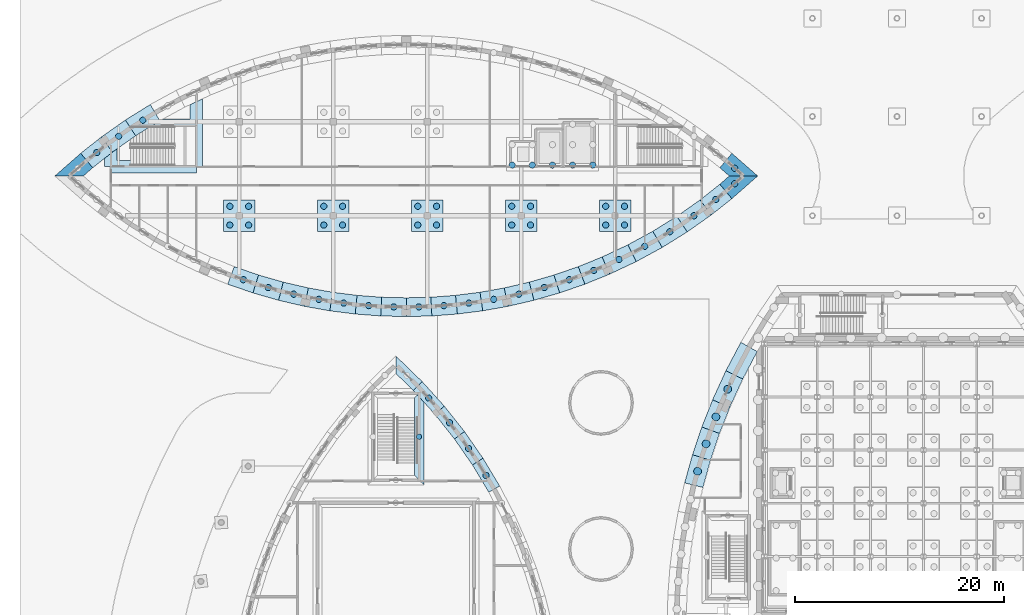
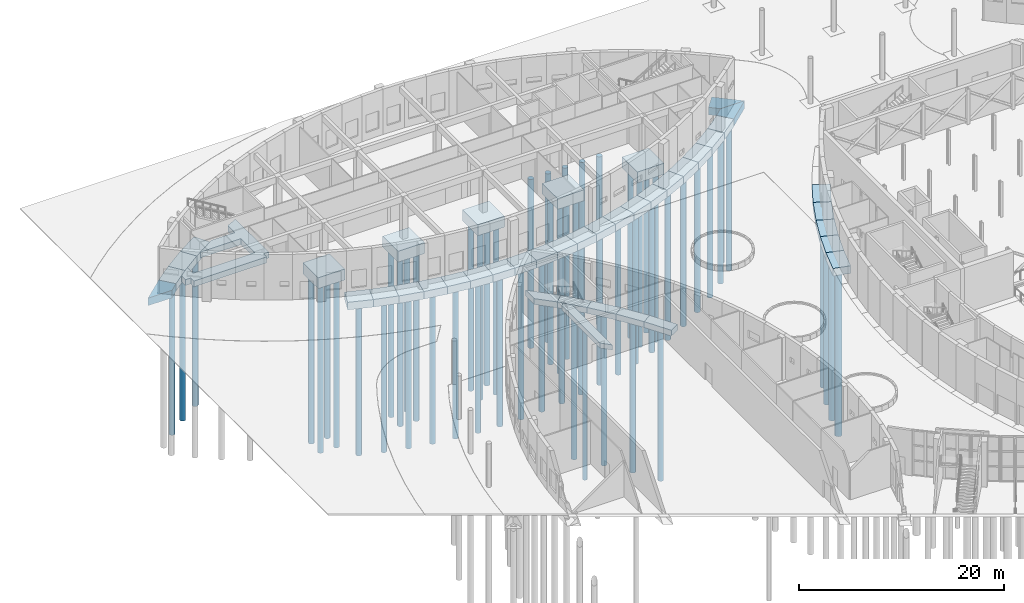
# One storey, part 6 of 82: 59 piles, 43 footings.
"""IFC4 building model written with IfcOpenShell, lengths in metres."""

from ifc_helpers import new_model, si_unit, direction, frame, origin, origin_2d, place, context, subcontext, project, spatial, polyline, circle, outline, extrude, material, material_profile, profile_set, type_object, element, save


model = new_model("IFC4")

# Units and contexts
model_context = context("Model", 3, precision=1e-05, world=origin(), true_north=direction((0.0, 1.0)))
body_context = subcontext(model_context, "Body", "Model", "MODEL_VIEW")
ifc_project = project(units=[si_unit("LENGTHUNIT", "METRE"), si_unit("AREAUNIT", "SQUARE_METRE"), si_unit("VOLUMEUNIT", "CUBIC_METRE"), si_unit("PLANEANGLEUNIT", "RADIAN"), si_unit("MASSUNIT", "GRAM", prefix="KILO")], contexts=[model_context])

# Site, building, storey
site_placement = place(None, origin())
site = spatial("IfcSite", under=ifc_project, at=site_placement, CompositionType="ELEMENT")
building_placement = place(site_placement, origin())
building = spatial("IfcBuilding", under=site, at=building_placement, Name="Tide Square Theatres", CompositionType="ELEMENT")
storey_placement = place(building_placement, origin())
storey = spatial("IfcBuildingStorey", under=building, at=storey_placement, Name="L00", CompositionType="ELEMENT", Elevation=0.0)

# Piles
ifc_material_1 = material(Name="Concrete C30", Category="concrete")
ifc_material_profile_1 = material_profile(ifc_material_1, circle(Radius=0.25, at=origin_2d()))
ifc_profile_set_1 = profile_set([ifc_material_profile_1], Name="Concrete C30")
pile_type_1 = type_object("IfcPileType", Name="Bored pile D500", PredefinedType="BORED", material=ifc_profile_set_1)
pile_placement = place(storey_placement, frame((38.22509765625, 72.824951171875, -0.699951171875), z_axis=(0.0, 0.0, -1.0), x_axis=(1.0, 0.0, 0.0)))
element("IfcPile", 1, at=pile_placement, inside=storey, type_object=pile_type_1, Name="Bored pile 061", PredefinedType="BORED", context=body_context, shape_type="SweptSolid", body=[
    extrude(circle(Radius=0.25, at=origin_2d()), origin(), (0.0, 0.0, 1.0), 18.14990234375),
])
ifc_material_2 = material(Name="Concrete C30", Category="concrete")
ifc_material_profile_2 = material_profile(ifc_material_2, circle(Radius=0.300048828125, at=origin_2d()))
ifc_profile_set_2 = profile_set([ifc_material_profile_2], Name="Concrete C30")
pile_type_2 = type_object("IfcPileType", Name="Bored pile D600", PredefinedType="BORED", material=ifc_profile_set_2)
for number, where, z_axis, x_axis, name in (
    (2, (44.633544921875, 69.123779296875, -0.800048828125), (0.0, 0.0, -1.0), (1.0, 0.0, 0.0), "Bored pile 024"),
    (3, (42.968017578125, 71.70166015625, -0.800048828125), (0.0, 0.0, -1.0), (1.0, 0.0, 0.0), "Bored pile 025"),
    (4, (41.140380859375, 74.167236328125, -0.800048828125), (0.0, 0.0, -1.0), (1.0, 0.0, 0.0), "Bored pile 026"),
    (5, (39.143310546875, 76.5263671875, -0.800048828125), (0.0, 0.0, -1.0), (1.0, 0.0, 0.0), "Bored pile 027"),
    (6, (21.393798828125, 87.8681640625, -1.0), (0.0, 0.0, -1.0), (1.0, 0.0, 0.0), "Scenery Workshops wall pile 8"),
    (7, (23.787109375, 87.11083984375, -1.0), (0.0, 0.0, -1.0), (1.0, 0.0, 0.0), "Scenery Workshops wall pile 9"),
    (8, (26.216796875, 86.48046875, -1.0), (0.0, 0.0, -1.0), (1.0, 0.0, 0.0), "Scenery Workshops wall pile 10"),
    (9, (28.62451171875, 85.986083984375, -1.0), (0.0, 0.0, -1.0), (1.0, 0.0, 0.0), "Scenery Workshops wall pile 11"),
    (10, (31.002197265625, 85.624267578125, -1.0), (0.0, 0.0, -1.0), (1.0, 0.0, 0.0), "Scenery Workshops wall pile 12"),
    (11, (33.395263671875, 85.382568359375, -1.0), (0.0, 0.0, -1.0), (1.0, 0.0, 0.0), "Scenery Workshops wall pile 13"),
    (12, (35.79736328125, 85.261474609375, -1.0), (0.0, 0.0, -1.0), (1.0, 0.0, 0.0), "Scenery Workshops wall pile 14"),
    (13, (38.20263671875, 85.261474609375, -1.0), (0.0, 0.0, -1.0), (1.0, 0.0, 0.0), "Scenery Workshops wall pile 15"),
    (14, (40.604736328125, 85.382568359375, -1.0), (0.0, 0.0, -1.0), (1.0, 0.0, 0.0), "Scenery Workshops wall pile 16"),
    (15, (42.997802734375, 85.624267578125, -1.0), (0.0, 0.0, -1.0), (1.0, 0.0, 0.0), "Scenery Workshops wall pile 17"),
    (16, (45.37548828125, 85.986083984375, -1.0), (0.0, 0.0, -1.0), (1.0, 0.0, 0.0), "Scenery Workshops wall pile 18"),
    (17, (47.783203125, 86.48046875, -1.0), (0.0, 0.0, -1.0), (1.0, 0.0, 0.0), "Scenery Workshops wall pile 19"),
    (18, (50.212890625, 87.11083984375, -1.0), (0.0, 0.0, -1.0), (1.0, 0.0, 0.0), "Scenery Workshops wall pile 20"),
    (19, (52.606201171875, 87.8681640625, -1.0), (0.0, 0.0, -1.0), (1.0, 0.0, 0.0), "Scenery Workshops wall pile 21"),
    (20, (54.956298828125, 88.75, -1.0), (0.0, 0.0, -1.0), (1.0, 0.0, 0.0), "Scenery Workshops wall pile 22"),
    (21, (57.37353515625, 89.812744140625, -1.0), (0.0, 0.0, -1.0), (1.0, 0.0, 0.0), "Scenery Workshops wall pile 23"),
    (22, (59.844482421875, 91.06640625, -1.0), (0.0, 0.0, -1.0), (1.0, 0.0, 0.0), "Scenery Workshops wall pile 24"),
    (23, (62.238525390625, 92.461181640625, -1.0), (0.0, 0.0, -1.0), (1.0, 0.0, 0.0), "Scenery Workshops wall pile 25"),
    (24, (64.547607421875, 93.992431640625, -1.0), (0.0, 0.0, -1.0), (1.0, 0.0, 0.0), "Scenery Workshops wall pile 26"),
    (25, (66.646484375, 95.555908203125, -1.0), (0.0, 0.0, -1.0), (1.0, 0.0, 0.0), "Scenery Workshops wall pile 27"),
    (26, (68.454833984375, 97.06005859375, -1.0), (0.0, 0.0, -1.0), (1.0, 0.0, 0.0), "Scenery Workshops wall pile 28"),
    (27, (68.454833984375, 98.539794921875, -1.0), (0.0, 0.0, -1.0), (1.0, 0.0, 0.0), "Scenery Workshops wall pile 29"),
    (28, (11.761474609375, 103.138916015625, -1.0), (0.0, 0.0, -1.0), (1.0, 0.0, 0.0), "Scenery Workshops wall pile 53"),
    (29, (9.452392578125, 101.607666015625, -1.0), (0.0, 0.0, -1.0), (1.0, 0.0, 0.0), "Scenery Workshops wall pile 54"),
    (30, (7.353515625, 100.044189453125, -1.0), (0.0, 0.0, -1.0), (1.0, 0.0, 0.0), "Scenery Workshops wall pile 55"),
):
    element("IfcPile", number, at=place(storey_placement, frame(where, z_axis=z_axis, x_axis=x_axis)), inside=storey, type_object=pile_type_2, Name=name, PredefinedType="BORED", context=body_context, shape_type="SweptSolid", body=[
        extrude(circle(Radius=0.300048828125, at=origin_2d()), origin(), (0.0, 0.0, 1.0), 18.14990234375),
    ])
for number, where, z_axis, x_axis, name in (
    (31, (20.10009765625, 93.10009765625, -1.39990234375), (0.0, 0.0, -1.0), (1.0, 0.0, 0.0), "Scenery Workshops column pile 1.1"),
    (32, (21.89990234375, 93.10009765625, -1.39990234375), (0.0, 0.0, -1.0), (1.0, 0.0, 0.0), "Scenery Workshops column pile 1.2"),
    (33, (21.89990234375, 94.89990234375, -1.39990234375), (0.0, 0.0, -1.0), (1.0, 0.0, 0.0), "Scenery Workshops column pile 1.3"),
    (34, (20.10009765625, 94.89990234375, -1.39990234375), (0.0, 0.0, -1.0), (1.0, 0.0, 0.0), "Scenery Workshops column pile 1.4"),
    (35, (29.10009765625, 93.10009765625, -1.39990234375), (0.0, 0.0, -1.0), (1.0, 0.0, 0.0), "Scenery Workshops column pile 3.1"),
    (36, (30.89990234375, 93.10009765625, -1.39990234375), (0.0, 0.0, -1.0), (1.0, 0.0, 0.0), "Scenery Workshops column pile 3.2"),
    (37, (30.89990234375, 94.89990234375, -1.39990234375), (0.0, 0.0, -1.0), (1.0, 0.0, 0.0), "Scenery Workshops column pile 3.3"),
    (38, (29.10009765625, 94.89990234375, -1.39990234375), (0.0, 0.0, -1.0), (1.0, 0.0, 0.0), "Scenery Workshops column pile 3.4"),
    (39, (38.10009765625, 93.10009765625, -1.39990234375), (0.0, 0.0, -1.0), (1.0, 0.0, 0.0), "Scenery Workshops column pile 5.1"),
    (40, (39.89990234375, 93.10009765625, -1.39990234375), (0.0, 0.0, -1.0), (1.0, 0.0, 0.0), "Scenery Workshops column pile 5.2"),
    (41, (39.89990234375, 94.89990234375, -1.39990234375), (0.0, 0.0, -1.0), (1.0, 0.0, 0.0), "Scenery Workshops column pile 5.3"),
    (42, (38.10009765625, 94.89990234375, -1.39990234375), (0.0, 0.0, -1.0), (1.0, 0.0, 0.0), "Scenery Workshops column pile 5.4"),
    (43, (47.10009765625, 93.10009765625, -1.39990234375), (0.0, 0.0, -1.0), (1.0, 0.0, 0.0), "Scenery Workshops column pile 7.1"),
    (44, (48.89990234375, 93.10009765625, -1.39990234375), (0.0, 0.0, -1.0), (1.0, 0.0, 0.0), "Scenery Workshops column pile 7.2"),
    (45, (48.89990234375, 94.89990234375, -1.39990234375), (0.0, 0.0, -1.0), (1.0, 0.0, 0.0), "Scenery Workshops column pile 7.3"),
    (46, (47.10009765625, 94.89990234375, -1.39990234375), (0.0, 0.0, -1.0), (1.0, 0.0, 0.0), "Scenery Workshops column pile 7.4"),
    (47, (56.10009765625, 93.10009765625, -1.39990234375), (0.0, 0.0, -1.0), (1.0, 0.0, 0.0), "Scenery Workshops column pile 8.1"),
    (48, (57.89990234375, 93.10009765625, -1.39990234375), (0.0, 0.0, -1.0), (1.0, 0.0, 0.0), "Scenery Workshops column pile 8.2"),
    (49, (57.89990234375, 94.89990234375, -1.39990234375), (0.0, 0.0, -1.0), (1.0, 0.0, 0.0), "Scenery Workshops column pile 8.3"),
    (50, (56.10009765625, 94.89990234375, -1.39990234375), (0.0, 0.0, -1.0), (1.0, 0.0, 0.0), "Scenery Workshops column pile 8.4"),
    (51, (47.139892578125, 98.840087890625, -1.85009765625), (0.0, 0.0, -1.0), (1.0, 0.0, 0.0), "Scenery Workshops lift pit pile 1.1"),
    (52, (49.070068359375, 98.840087890625, -1.85009765625), (0.0, 0.0, -1.0), (1.0, 0.0, 0.0), "Scenery Workshops lift pit pile 1.3"),
    (53, (51.0, 98.840087890625, -1.85009765625), (0.0, 0.0, -1.0), (1.0, 0.0, 0.0), "Scenery Workshops lift pit pile 1.5"),
    (54, (52.929931640625, 98.840087890625, -1.85009765625), (0.0, 0.0, -1.0), (1.0, 0.0, 0.0), "Scenery Workshops lift pit pile 1.7"),
    (55, (54.860107421875, 98.840087890625, -1.85009765625), (0.0, 0.0, -1.0), (1.0, 0.0, 0.0), "Scenery Workshops lift pit pile 1.10"),
):
    element("IfcPile", number, at=place(storey_placement, frame(where, z_axis=z_axis, x_axis=x_axis)), inside=storey, type_object=pile_type_2, Name=name, PredefinedType="BORED", context=body_context, shape_type="SweptSolid", body=[
        extrude(circle(Radius=0.300048828125, at=origin_2d()), origin(), (0.0, 0.0, 1.0), 20.14990234375),
    ])
ifc_material_3 = material(Name="Concrete C30", Category="concrete")
ifc_material_profile_3 = material_profile(ifc_material_3, circle(Radius=0.375, at=origin_2d()))
ifc_profile_set_3 = profile_set([ifc_material_profile_3], Name="Concrete C30")
pile_type_3 = type_object("IfcPileType", Name="Bored pile D750", PredefinedType="BORED", material=ifc_profile_set_3)
for number, where, z_axis, x_axis, name in (
    (56, (67.791748046875, 77.380126953125, -0.75), (0.0, 0.0, -1.0), (1.0, 0.0, 0.0), "Bored pile"),
    (57, (66.657958984375, 74.726806640625, -0.75), (0.0, 0.0, -1.0), (1.0, 0.0, 0.0), "Bored pile"),
    (58, (65.714111328125, 72.142578125, -0.75), (0.0, 0.0, -1.0), (1.0, 0.0, 0.0), "Bored pile"),
    (59, (64.90380859375, 69.51318359375, -0.75), (0.0, 0.0, -1.0), (1.0, 0.0, 0.0), "Bored pile"),
):
    element("IfcPile", number, at=place(storey_placement, frame(where, z_axis=z_axis, x_axis=x_axis)), inside=storey, type_object=pile_type_3, Name=name, PredefinedType="BORED", context=body_context, shape_type="SweptSolid", body=[
        extrude(circle(Radius=0.375, at=origin_2d()), origin(), (0.0, 0.0, 1.0), 20.14990234375),
    ])

# Footings
ifc_material_4 = material(Name="Concrete C35", Category="concrete")
footing_type_1 = type_object("IfcFootingType", Name="Pile cap 4 piles D600", PredefinedType="PILE_CAP", material=ifc_material_4)
footing_1_placement = place(storey_placement, frame((0.0, 0.0, -1.550048828125)))
element("IfcFooting", 60, at=footing_1_placement, inside=storey, type_object=footing_type_1, Name="Scenery Workshops pile cap 1", PredefinedType="PILE_CAP", context=body_context, shape_type="SweptSolid", body=[
    extrude(outline(polyline([(19.5, 92.5), (22.5, 92.5), (22.5, 95.5), (19.5, 95.5), (19.5, 92.5)])), origin(), (0.0, 0.0, 1.0), 1.300048828125),
])
footing_2_placement = place(storey_placement, frame((0.0, 0.0, -1.550048828125)))
element("IfcFooting", 61, at=footing_2_placement, inside=storey, type_object=footing_type_1, Name="Scenery Workshops pile cap 3", PredefinedType="PILE_CAP", context=body_context, shape_type="SweptSolid", body=[
    extrude(outline(polyline([(28.5, 92.5), (31.5, 92.5), (31.5, 95.5), (28.5, 95.5), (28.5, 92.5)])), origin(), (0.0, 0.0, 1.0), 1.300048828125),
])
footing_3_placement = place(storey_placement, frame((0.0, 0.0, -1.550048828125)))
element("IfcFooting", 62, at=footing_3_placement, inside=storey, type_object=footing_type_1, Name="Scenery Workshops pile cap 5", PredefinedType="PILE_CAP", context=body_context, shape_type="SweptSolid", body=[
    extrude(outline(polyline([(37.5, 92.5), (40.5, 92.5), (40.5, 95.5), (37.5, 95.5), (37.5, 92.5)])), origin(), (0.0, 0.0, 1.0), 1.300048828125),
])
footing_4_placement = place(storey_placement, frame((0.0, 0.0, -1.550048828125)))
element("IfcFooting", 63, at=footing_4_placement, inside=storey, type_object=footing_type_1, Name="Scenery Workshops pile cap 7", PredefinedType="PILE_CAP", context=body_context, shape_type="SweptSolid", body=[
    extrude(outline(polyline([(46.5, 92.5), (49.5, 92.5), (49.5, 95.5), (46.5, 95.5), (46.5, 92.5)])), origin(), (0.0, 0.0, 1.0), 1.300048828125),
])
footing_5_placement = place(storey_placement, frame((0.0, 0.0, -1.550048828125)))
element("IfcFooting", 64, at=footing_5_placement, inside=storey, type_object=footing_type_1, Name="Scenery Workshops pile cap 8", PredefinedType="PILE_CAP", context=body_context, shape_type="SweptSolid", body=[
    extrude(outline(polyline([(55.5, 92.5), (58.5, 92.5), (58.5, 95.5), (55.5, 95.5), (55.5, 92.5)])), origin(), (0.0, 0.0, 1.0), 1.300048828125),
])
ifc_material_5 = material(Name="Concrete C35", Category="concrete")
footing_type_2 = type_object("IfcFootingType", Name="Strip footing 1200 x 700", PredefinedType="STRIP_FOOTING", material=ifc_material_5)
footing_6_placement = place(storey_placement, frame((0.0, 0.0, -0.949951171875)))
element("IfcFooting", 65, at=footing_6_placement, inside=storey, type_object=footing_type_2, Name="Studio Theatre wall strip footing 024", PredefinedType="STRIP_FOOTING", context=body_context, shape_type="SweptSolid", body=[
    extrude(outline(polyline([(45.948974609375, 68.100830078125), (44.346435546875, 70.765380859375), (43.337890625, 70.11376953125), (44.90087890625, 67.515380859375), (45.948974609375, 68.100830078125)])), origin(), (0.0, 0.0, 1.0), 0.699951171875),
])
footing_7_placement = place(storey_placement, frame((0.0, 0.0, -0.949951171875)))
element("IfcFooting", 66, at=footing_7_placement, inside=storey, type_object=footing_type_2, Name="Studio Theatre wall strip footing 025", PredefinedType="STRIP_FOOTING", context=body_context, shape_type="SweptSolid", body=[
    extrude(outline(polyline([(44.346435546875, 70.765380859375), (42.576171875, 73.3212890625), (41.611572265625, 72.6064453125), (43.337890625, 70.11376953125), (44.346435546875, 70.765380859375)])), origin(), (0.0, 0.0, 1.0), 0.699951171875),
])
footing_8_placement = place(storey_placement, frame((0.0, 0.0, -0.949951171875)))
element("IfcFooting", 67, at=footing_8_placement, inside=storey, type_object=footing_type_2, Name="Studio Theatre wall strip footing 026", PredefinedType="STRIP_FOOTING", context=body_context, shape_type="SweptSolid", body=[
    extrude(outline(polyline([(42.576171875, 73.3212890625), (40.645263671875, 75.758544921875), (39.72900390625, 74.98291015625), (41.611572265625, 72.6064453125), (42.576171875, 73.3212890625)])), origin(), (0.0, 0.0, 1.0), 0.699951171875),
])
footing_9_placement = place(storey_placement, frame((0.0, 0.0, -0.949951171875)))
element("IfcFooting", 68, at=footing_9_placement, inside=storey, type_object=footing_type_2, Name="Studio Theatre wall strip footing 027", PredefinedType="STRIP_FOOTING", context=body_context, shape_type="SweptSolid", body=[
    extrude(outline(polyline([(40.645263671875, 75.758544921875), (38.53125, 78.0986328125), (37.6669921875, 77.26513671875), (39.72900390625, 74.98291015625), (40.645263671875, 75.758544921875)])), origin(), (0.0, 0.0, 1.0), 0.699951171875),
])
footing_10_placement = place(storey_placement, frame((0.0, 0.0, -0.949951171875)))
element("IfcFooting", 69, at=footing_10_placement, inside=storey, type_object=footing_type_2, Name="Studio Theatre wall strip footing 028", PredefinedType="STRIP_FOOTING", context=body_context, shape_type="SweptSolid", body=[
    extrude(outline(polyline([(38.53125, 78.0986328125), (36.0, 80.5576171875), (36.0, 78.884521484375), (37.6669921875, 77.26513671875), (38.53125, 78.0986328125)])), origin(), (0.0, 0.0, 1.0), 0.699951171875),
])
footing_11_placement = place(storey_placement, frame((0.0, 0.0, -0.949951171875)))
element("IfcFooting", 70, at=footing_11_placement, inside=storey, type_object=footing_type_2, Name="Scenery Workshops core wall footing 1", PredefinedType="STRIP_FOOTING", context=body_context, shape_type="SweptSolid", body=[
    extrude(outline(polyline([(13.3916015625, 103.093017578125), (11.715087890625, 102.050048828125), (16.300048828125, 102.050048828125), (16.300048828125, 99.300048828125), (9.300048828125, 99.300048828125), (9.300048828125, 100.398681640625), (8.85888671875, 100.08740234375), (8.10009765625, 99.487060546875), (8.10009765625, 98.699951171875), (8.699951171875, 98.699951171875), (8.699951171875, 98.10009765625), (16.89990234375, 98.10009765625), (16.89990234375, 98.699951171875), (17.5, 98.699951171875), (17.5, 102.64990234375), (17.5, 105.203857421875), (16.300048828125, 104.63818359375), (16.300048828125, 103.25), (13.68017578125, 103.25), (13.3916015625, 103.093017578125)])), origin(), (0.0, 0.0, 1.0), 0.699951171875),
])
ifc_material_6 = material(Name="Concrete C35", Category="concrete")
footing_type_3 = type_object("IfcFootingType", Name="Strip footing 1800 x 900", PredefinedType="STRIP_FOOTING", material=ifc_material_6)
footing_12_placement = place(storey_placement, frame((0.0, 0.0, -0.89990234375)))
element("IfcFooting", 71, at=footing_12_placement, inside=storey, type_object=footing_type_3, Name="Strip footing", PredefinedType="STRIP_FOOTING", context=body_context, shape_type="SweptSolid", body=[
    extrude(outline(polyline([(69.046630859375, 81.867919921875), (67.613037109375, 79.1513671875), (69.228515625, 78.35595703125), (70.614990234375, 80.98291015625), (69.046630859375, 81.867919921875)])), origin(), (0.0, 0.0, 1.0), 0.89990234375),
])
footing_13_placement = place(storey_placement, frame((0.0, 0.0, -0.89990234375)))
element("IfcFooting", 72, at=footing_13_placement, inside=storey, type_object=footing_type_3, Name="Strip footing", PredefinedType="STRIP_FOOTING", context=body_context, shape_type="SweptSolid", body=[
    extrude(outline(polyline([(67.613037109375, 79.1513671875), (66.33447265625, 76.359619140625), (67.9912109375, 75.654052734375), (69.228515625, 78.35595703125), (67.613037109375, 79.1513671875)])), origin(), (0.0, 0.0, 1.0), 0.89990234375),
])
footing_14_placement = place(storey_placement, frame((0.0, 0.0, -0.89990234375)))
element("IfcFooting", 73, at=footing_14_placement, inside=storey, type_object=footing_type_3, Name="Strip footing", PredefinedType="STRIP_FOOTING", context=body_context, shape_type="SweptSolid", body=[
    extrude(outline(polyline([(66.33447265625, 76.359619140625), (65.307373046875, 73.755615234375), (66.998779296875, 73.137939453125), (67.9912109375, 75.654052734375), (66.33447265625, 76.359619140625)])), origin(), (0.0, 0.0, 1.0), 0.89990234375),
])
footing_15_placement = place(storey_placement, frame((0.0, 0.0, -0.89990234375)))
element("IfcFooting", 74, at=footing_15_placement, inside=storey, type_object=footing_type_3, Name="Strip footing", PredefinedType="STRIP_FOOTING", context=body_context, shape_type="SweptSolid", body=[
    extrude(outline(polyline([(65.307373046875, 73.755615234375), (64.4150390625, 71.103515625), (66.1357421875, 70.572998046875), (66.998779296875, 73.137939453125), (65.307373046875, 73.755615234375)])), origin(), (0.0, 0.0, 1.0), 0.89990234375),
])
footing_16_placement = place(storey_placement, frame((0.0, 0.0, -0.89990234375)))
element("IfcFooting", 75, at=footing_16_placement, inside=storey, type_object=footing_type_3, Name="Strip footing", PredefinedType="STRIP_FOOTING", context=body_context, shape_type="SweptSolid", body=[
    extrude(outline(polyline([(64.4150390625, 71.103515625), (63.659423828125, 68.408935546875), (65.405029296875, 67.96728515625), (66.1357421875, 70.572998046875), (64.4150390625, 71.103515625)])), origin(), (0.0, 0.0, 1.0), 0.89990234375),
])
footing_17_placement = place(storey_placement, frame((0.0, 0.0, -1.14990234375)))
element("IfcFooting", 76, at=footing_17_placement, inside=storey, type_object=footing_type_3, Name="Scenery Workshops strip footing 8", PredefinedType="STRIP_FOOTING", context=body_context, shape_type="SweptSolid", body=[
    extrude(outline(polyline([(19.890869140625, 87.435302734375), (22.308837890625, 86.599609375), (22.85205078125, 88.31640625), (20.5234375, 89.12109375), (19.890869140625, 87.435302734375)])), origin(), (0.0, 0.0, 1.0), 0.89990234375),
])
footing_18_placement = place(storey_placement, frame((0.0, 0.0, -1.14990234375)))
element("IfcFooting", 77, at=footing_18_placement, inside=storey, type_object=footing_type_3, Name="Scenery Workshops strip footing 9", PredefinedType="STRIP_FOOTING", context=body_context, shape_type="SweptSolid", body=[
    extrude(outline(polyline([(22.308837890625, 86.599609375), (24.767578125, 85.892333984375), (25.2197265625, 87.63525390625), (22.85205078125, 88.31640625), (22.308837890625, 86.599609375)])), origin(), (0.0, 0.0, 1.0), 0.89990234375),
])
footing_19_placement = place(storey_placement, frame((0.0, 0.0, -1.14990234375)))
element("IfcFooting", 78, at=footing_19_placement, inside=storey, type_object=footing_type_3, Name="Scenery Workshops strip footing 10", PredefinedType="STRIP_FOOTING", context=body_context, shape_type="SweptSolid", body=[
    extrude(outline(polyline([(24.767578125, 85.892333984375), (27.259521484375, 85.31494140625), (27.62060546875, 87.0791015625), (25.2197265625, 87.63525390625), (24.767578125, 85.892333984375)])), origin(), (0.0, 0.0, 1.0), 0.89990234375),
])
footing_20_placement = place(storey_placement, frame((0.0, 0.0, -1.14990234375)))
element("IfcFooting", 79, at=footing_20_placement, inside=storey, type_object=footing_type_3, Name="Scenery Workshops strip footing 11", PredefinedType="STRIP_FOOTING", context=body_context, shape_type="SweptSolid", body=[
    extrude(outline(polyline([(27.259521484375, 85.31494140625), (29.67333984375, 84.88525390625), (29.944091796875, 86.665283203125), (27.62060546875, 87.0791015625), (27.259521484375, 85.31494140625)])), origin(), (0.0, 0.0, 1.0), 0.89990234375),
])
footing_21_placement = place(storey_placement, frame((0.0, 0.0, -1.14990234375)))
element("IfcFooting", 80, at=footing_21_placement, inside=storey, type_object=footing_type_3, Name="Scenery Workshops strip footing 12", PredefinedType="STRIP_FOOTING", context=body_context, shape_type="SweptSolid", body=[
    extrude(outline(polyline([(29.67333984375, 84.88525390625), (32.105224609375, 84.57763671875), (32.2861328125, 86.369140625), (29.944091796875, 86.665283203125), (29.67333984375, 84.88525390625)])), origin(), (0.0, 0.0, 1.0), 0.89990234375),
])
footing_22_placement = place(storey_placement, frame((0.0, 0.0, -1.14990234375)))
element("IfcFooting", 81, at=footing_22_placement, inside=storey, type_object=footing_type_3, Name="Scenery Workshops strip footing 13", PredefinedType="STRIP_FOOTING", context=body_context, shape_type="SweptSolid", body=[
    extrude(outline(polyline([(32.105224609375, 84.57763671875), (34.549560546875, 84.392822265625), (34.64013671875, 86.19091796875), (32.2861328125, 86.369140625), (32.105224609375, 84.57763671875)])), origin(), (0.0, 0.0, 1.0), 0.89990234375),
])
footing_23_placement = place(storey_placement, frame((0.0, 0.0, -1.14990234375)))
element("IfcFooting", 82, at=footing_23_placement, inside=storey, type_object=footing_type_3, Name="Scenery Workshops strip footing 14", PredefinedType="STRIP_FOOTING", context=body_context, shape_type="SweptSolid", body=[
    extrude(outline(polyline([(34.549560546875, 84.392822265625), (37.0, 84.3310546875), (37.0, 86.131591796875), (34.64013671875, 86.19091796875), (34.549560546875, 84.392822265625)])), origin(), (0.0, 0.0, 1.0), 0.89990234375),
])
footing_24_placement = place(storey_placement, frame((0.0, 0.0, -1.14990234375)))
element("IfcFooting", 83, at=footing_24_placement, inside=storey, type_object=footing_type_3, Name="Scenery Workshops strip footing 15", PredefinedType="STRIP_FOOTING", context=body_context, shape_type="SweptSolid", body=[
    extrude(outline(polyline([(37.0, 84.3310546875), (39.450439453125, 84.392822265625), (39.35986328125, 86.19091796875), (37.0, 86.131591796875), (37.0, 84.3310546875)])), origin(), (0.0, 0.0, 1.0), 0.89990234375),
])
footing_25_placement = place(storey_placement, frame((0.0, 0.0, -1.14990234375)))
element("IfcFooting", 84, at=footing_25_placement, inside=storey, type_object=footing_type_3, Name="Scenery Workshops strip footing 16", PredefinedType="STRIP_FOOTING", context=body_context, shape_type="SweptSolid", body=[
    extrude(outline(polyline([(39.450439453125, 84.392822265625), (41.894775390625, 84.57763671875), (41.7138671875, 86.369140625), (39.35986328125, 86.19091796875), (39.450439453125, 84.392822265625)])), origin(), (0.0, 0.0, 1.0), 0.89990234375),
])
footing_26_placement = place(storey_placement, frame((0.0, 0.0, -1.14990234375)))
element("IfcFooting", 85, at=footing_26_placement, inside=storey, type_object=footing_type_3, Name="Scenery Workshops strip footing 17", PredefinedType="STRIP_FOOTING", context=body_context, shape_type="SweptSolid", body=[
    extrude(outline(polyline([(41.894775390625, 84.57763671875), (44.32666015625, 84.88525390625), (44.055908203125, 86.665283203125), (41.7138671875, 86.369140625), (41.894775390625, 84.57763671875)])), origin(), (0.0, 0.0, 1.0), 0.89990234375),
])
footing_27_placement = place(storey_placement, frame((0.0, 0.0, -1.14990234375)))
element("IfcFooting", 86, at=footing_27_placement, inside=storey, type_object=footing_type_3, Name="Scenery Workshops strip footing 18", PredefinedType="STRIP_FOOTING", context=body_context, shape_type="SweptSolid", body=[
    extrude(outline(polyline([(44.32666015625, 84.88525390625), (46.740478515625, 85.31494140625), (46.37939453125, 87.0791015625), (44.055908203125, 86.665283203125), (44.32666015625, 84.88525390625)])), origin(), (0.0, 0.0, 1.0), 0.89990234375),
])
footing_28_placement = place(storey_placement, frame((0.0, 0.0, -1.14990234375)))
element("IfcFooting", 87, at=footing_28_placement, inside=storey, type_object=footing_type_3, Name="Scenery Workshops strip footing 19", PredefinedType="STRIP_FOOTING", context=body_context, shape_type="SweptSolid", body=[
    extrude(outline(polyline([(46.740478515625, 85.31494140625), (49.232421875, 85.892333984375), (48.7802734375, 87.63525390625), (46.37939453125, 87.0791015625), (46.740478515625, 85.31494140625)])), origin(), (0.0, 0.0, 1.0), 0.89990234375),
])
footing_29_placement = place(storey_placement, frame((0.0, 0.0, -1.14990234375)))
element("IfcFooting", 88, at=footing_29_placement, inside=storey, type_object=footing_type_3, Name="Scenery Workshops strip footing 20", PredefinedType="STRIP_FOOTING", context=body_context, shape_type="SweptSolid", body=[
    extrude(outline(polyline([(49.232421875, 85.892333984375), (51.691162109375, 86.599609375), (51.14794921875, 88.31640625), (48.7802734375, 87.63525390625), (49.232421875, 85.892333984375)])), origin(), (0.0, 0.0, 1.0), 0.89990234375),
])
footing_30_placement = place(storey_placement, frame((0.0, 0.0, -1.14990234375)))
element("IfcFooting", 89, at=footing_30_placement, inside=storey, type_object=footing_type_3, Name="Scenery Workshops strip footing 21", PredefinedType="STRIP_FOOTING", context=body_context, shape_type="SweptSolid", body=[
    extrude(outline(polyline([(51.691162109375, 86.599609375), (54.109130859375, 87.435302734375), (53.4765625, 89.12109375), (51.14794921875, 88.31640625), (51.691162109375, 86.599609375)])), origin(), (0.0, 0.0, 1.0), 0.89990234375),
])
footing_31_placement = place(storey_placement, frame((0.0, 0.0, -1.14990234375)))
element("IfcFooting", 90, at=footing_31_placement, inside=storey, type_object=footing_type_3, Name="Scenery Workshops strip footing 22", PredefinedType="STRIP_FOOTING", context=body_context, shape_type="SweptSolid", body=[
    extrude(outline(polyline([(54.109130859375, 87.435302734375), (56.48095703125, 88.39697265625), (55.758544921875, 90.04638671875), (53.4765625, 89.12109375), (54.109130859375, 87.435302734375)])), origin(), (0.0, 0.0, 1.0), 0.89990234375),
])
footing_32_placement = place(storey_placement, frame((0.0, 0.0, -1.14990234375)))
element("IfcFooting", 91, at=footing_32_placement, inside=storey, type_object=footing_type_3, Name="Scenery Workshops strip footing 23", PredefinedType="STRIP_FOOTING", context=body_context, shape_type="SweptSolid", body=[
    extrude(outline(polyline([(56.48095703125, 88.39697265625), (59.034423828125, 89.600830078125), (58.2197265625, 91.206787109375), (55.758544921875, 90.04638671875), (56.48095703125, 88.39697265625)])), origin(), (0.0, 0.0, 1.0), 0.89990234375),
])
footing_33_placement = place(storey_placement, frame((0.0, 0.0, -1.14990234375)))
element("IfcFooting", 92, at=footing_33_placement, inside=storey, type_object=footing_type_3, Name="Scenery Workshops strip footing 24", PredefinedType="STRIP_FOOTING", context=body_context, shape_type="SweptSolid", body=[
    extrude(outline(polyline([(59.034423828125, 89.600830078125), (61.514892578125, 90.951171875), (60.6083984375, 92.507080078125), (58.2197265625, 91.206787109375), (59.034423828125, 89.600830078125)])), origin(), (0.0, 0.0, 1.0), 0.89990234375),
])
footing_34_placement = place(storey_placement, frame((0.0, 0.0, -1.14990234375)))
element("IfcFooting", 93, at=footing_34_placement, inside=storey, type_object=footing_type_3, Name="Scenery Workshops strip footing 25", PredefinedType="STRIP_FOOTING", context=body_context, shape_type="SweptSolid", body=[
    extrude(outline(polyline([(61.514892578125, 90.951171875), (63.912841796875, 92.44287109375), (62.917724609375, 93.943603515625), (60.6083984375, 92.507080078125), (61.514892578125, 90.951171875)])), origin(), (0.0, 0.0, 1.0), 0.89990234375),
])
footing_35_placement = place(storey_placement, frame((0.0, 0.0, -1.14990234375)))
element("IfcFooting", 94, at=footing_35_placement, inside=storey, type_object=footing_type_3, Name="Scenery Workshops strip footing 26", PredefinedType="STRIP_FOOTING", context=body_context, shape_type="SweptSolid", body=[
    extrude(outline(polyline([(63.912841796875, 92.44287109375), (66.21923828125, 94.0703125), (65.14111328125, 95.5126953125), (62.917724609375, 93.943603515625), (63.912841796875, 92.44287109375)])), origin(), (0.0, 0.0, 1.0), 0.89990234375),
])
footing_36_placement = place(storey_placement, frame((0.0, 0.0, -1.14990234375)))
element("IfcFooting", 95, at=footing_36_placement, inside=storey, type_object=footing_type_3, Name="Scenery Workshops strip footing 27", PredefinedType="STRIP_FOOTING", context=body_context, shape_type="SweptSolid", body=[
    extrude(outline(polyline([(66.21923828125, 94.0703125), (68.189208984375, 95.62890625), (67.0361328125, 97.01171875), (65.14111328125, 95.5126953125), (66.21923828125, 94.0703125)])), origin(), (0.0, 0.0, 1.0), 0.89990234375),
])
footing_37_placement = place(storey_placement, frame((0.0, 0.0, -1.14990234375)))
element("IfcFooting", 96, at=footing_37_placement, inside=storey, type_object=footing_type_3, Name="Scenery Workshops strip footing 28", PredefinedType="STRIP_FOOTING", context=body_context, shape_type="SweptSolid", body=[
    extrude(outline(polyline([(68.189208984375, 95.62890625), (70.66064453125, 97.800048828125), (67.933349609375, 97.800048828125), (67.0361328125, 97.01171875), (68.189208984375, 95.62890625)])), origin(), (0.0, 0.0, 1.0), 0.89990234375),
])
footing_38_placement = place(storey_placement, frame((0.0, 0.0, -1.14990234375)))
element("IfcFooting", 97, at=footing_38_placement, inside=storey, type_object=footing_type_3, Name="Scenery Workshops strip footing 29", PredefinedType="STRIP_FOOTING", context=body_context, shape_type="SweptSolid", body=[
    extrude(outline(polyline([(70.66064453125, 97.800048828125), (68.189208984375, 99.97119140625), (67.0361328125, 98.58837890625), (67.933349609375, 97.800048828125), (70.66064453125, 97.800048828125)])), origin(), (0.0, 0.0, 1.0), 0.89990234375),
])
footing_39_placement = place(storey_placement, frame((0.0, 0.0, -1.14990234375)))
element("IfcFooting", 98, at=footing_39_placement, inside=storey, type_object=footing_type_3, Name="Scenery Workshops strip footing 53", PredefinedType="STRIP_FOOTING", context=body_context, shape_type="SweptSolid", body=[
    extrude(outline(polyline([(12.485107421875, 104.64892578125), (10.087158203125, 103.1572265625), (11.082275390625, 101.656494140625), (13.3916015625, 103.093017578125), (12.485107421875, 104.64892578125)])), origin(), (0.0, 0.0, 1.0), 0.89990234375),
])
footing_40_placement = place(storey_placement, frame((0.0, 0.0, -1.14990234375)))
element("IfcFooting", 99, at=footing_40_placement, inside=storey, type_object=footing_type_3, Name="Scenery Workshops strip footing 54", PredefinedType="STRIP_FOOTING", context=body_context, shape_type="SweptSolid", body=[
    extrude(outline(polyline([(10.087158203125, 103.1572265625), (7.78076171875, 101.529541015625), (8.85888671875, 100.08740234375), (11.082275390625, 101.656494140625), (10.087158203125, 103.1572265625)])), origin(), (0.0, 0.0, 1.0), 0.89990234375),
])
footing_41_placement = place(storey_placement, frame((0.0, 0.0, -1.14990234375)))
element("IfcFooting", 100, at=footing_41_placement, inside=storey, type_object=footing_type_3, Name="Scenery Workshops strip footing 55", PredefinedType="STRIP_FOOTING", context=body_context, shape_type="SweptSolid", body=[
    extrude(outline(polyline([(7.78076171875, 101.529541015625), (5.810791015625, 99.97119140625), (6.9638671875, 98.58837890625), (8.85888671875, 100.08740234375), (7.78076171875, 101.529541015625)])), origin(), (0.0, 0.0, 1.0), 0.89990234375),
])
footing_42_placement = place(storey_placement, frame((0.0, 0.0, -1.14990234375)))
element("IfcFooting", 101, at=footing_42_placement, inside=storey, type_object=footing_type_3, Name="Scenery Workshops strip footing 56", PredefinedType="STRIP_FOOTING", context=body_context, shape_type="SweptSolid", body=[
    extrude(outline(polyline([(5.810791015625, 99.97119140625), (3.33935546875, 97.800048828125), (6.066650390625, 97.800048828125), (6.9638671875, 98.58837890625), (5.810791015625, 99.97119140625)])), origin(), (0.0, 0.0, 1.0), 0.89990234375),
])
ifc_material_7 = material(Name="Concrete C35", Category="concrete")
footing_type_4 = type_object("IfcFootingType", Name="Strip footing 900 x 600", PredefinedType="STRIP_FOOTING", material=ifc_material_7)
footing_43_placement = place(storey_placement, frame((0.0, 0.0, -0.85009765625)))
element("IfcFooting", 102, at=footing_43_placement, inside=storey, type_object=footing_type_4, Name="Studio Theatre stair shaft strip footing 061", PredefinedType="STRIP_FOOTING", context=body_context, shape_type="SweptSolid", body=[
    extrude(outline(polyline([(38.675048828125, 68.22509765625), (38.675048828125, 77.425048828125), (37.77490234375, 76.52490234375), (37.77490234375, 69.125), (38.675048828125, 68.22509765625)])), origin(), (0.0, 0.0, 1.0), 0.60009765625),
])

save(model, "model.ifc")
